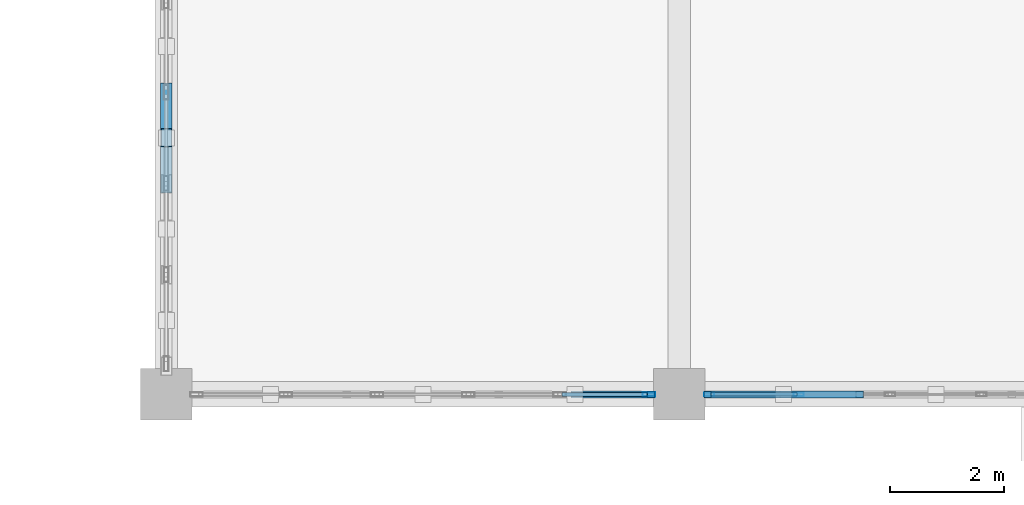
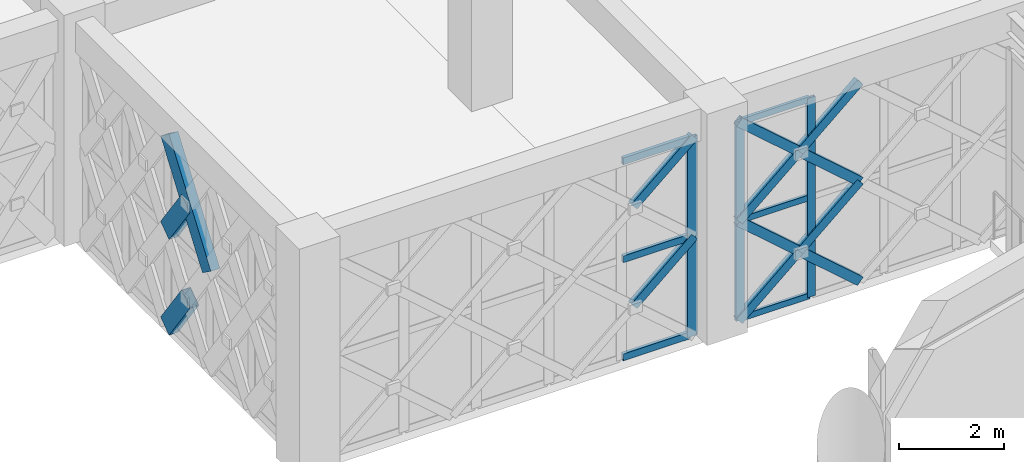
# One storey, part 70 of 155: 20 members, 2 elements without a shape of their own.
"""IFC4 building model written with IfcOpenShell, lengths in metres."""

from ifc_helpers import new_model, si_unit, direction, frame, origin, origin_2d, place, context, subcontext, project, spatial, hollow_rectangle, extrude, material, material_profile, profile_set, type_object, element, aggregate, save


model = new_model("IFC4")

# Units and contexts
model_context = context("Model", 3, precision=1e-05, world=origin(), true_north=direction((0.0, 1.0)))
body_context = subcontext(model_context, "Body", "Model", "MODEL_VIEW")
ifc_project = project(units=[si_unit("LENGTHUNIT", "METRE"), si_unit("AREAUNIT", "SQUARE_METRE"), si_unit("VOLUMEUNIT", "CUBIC_METRE"), si_unit("PLANEANGLEUNIT", "RADIAN"), si_unit("MASSUNIT", "GRAM", prefix="KILO")], contexts=[model_context])

# Site, building, storey
site_placement = place(None, origin())
site = spatial("IfcSite", under=ifc_project, at=site_placement, CompositionType="ELEMENT")
building_placement = place(site_placement, origin())
building = spatial("IfcBuilding", under=site, at=building_placement, Name="Haizhuo Lancet Aquarium", CompositionType="ELEMENT")
storey_placement = place(building_placement, frame((0.0, 0.0, 10.800048828125)))
storey = spatial("IfcBuildingStorey", under=building, at=storey_placement, Name="L02", CompositionType="ELEMENT", Elevation=10.800048828125)

# Curtain wall, members
ifc_material_1 = material(Name="Aluminium 6063-T6", Category="aluminium")
curtain_wall_type = type_object("IfcCurtainWallType", Name="CWO-8010x4650", PredefinedType="NOTDEFINED", material=ifc_material_1)
curtain_wall_1_placement = place(storey_placement, origin())
curtain_wall_1 = element("IfcCurtainWall", 1, at=curtain_wall_1_placement, inside=storey, type_object=curtain_wall_type, Name="L02 curtain wall CW-V5-L02-157", PredefinedType="NOTDEFINED")
ifc_material_profile_1 = material_profile(ifc_material_1, hollow_rectangle(XDim=0.06494140625, YDim=0.179931640625, WallThickness=0.00390625, at=origin_2d()), Name="ALU-M 65x180x4")
ifc_profile_set_1 = profile_set([ifc_material_profile_1], Name="Aluminium 6063-T6")
member_type_1 = type_object("IfcMemberType", Name="CW-MUL-1", PredefinedType="MULLION", material=ifc_profile_set_1)
member_1_placement = place(storey_placement, frame((-6.903076171875, 27.0, 0.0), z_axis=(0.0, 0.0, 1.0), x_axis=(0.0, -1.0, 0.0)))
member_1 = element("IfcMember", 2, at=member_1_placement, type_object=member_type_1, Name="CWO-80x46 mullion 5", PredefinedType="MULLION", context=body_context, shape_type="SweptSolid", body=[
    extrude(hollow_rectangle(XDim=0.06494140625, YDim=0.179931640625, WallThickness=0.00390625, at=origin_2d()), origin(), (0.0, 0.0, 1.0), 4.64990234375),
])
member_2_placement = place(storey_placement, frame((-8.472900390625, 27.0, 0.0), z_axis=(0.0, 0.0, 1.0), x_axis=(0.0, -1.0, 0.0)))
member_2 = element("IfcMember", 3, at=member_2_placement, type_object=member_type_1, Name="CWO-80x46 mullion 6", PredefinedType="MULLION", context=body_context, shape_type="SweptSolid", body=[
    extrude(hollow_rectangle(XDim=0.06494140625, YDim=0.179931640625, WallThickness=0.00390625, at=origin_2d()), origin(), (0.0, 0.0, 1.0), 4.64990234375),
])

# Curtain wall, member
curtain_wall_2_placement = place(storey_placement, origin())
curtain_wall_2 = element("IfcCurtainWall", 4, at=curtain_wall_2_placement, inside=storey, type_object=curtain_wall_type, Name="L02 curtain wall CW-V5-L02-158", PredefinedType="NOTDEFINED")
ifc_material_profile_2 = material_profile(ifc_material_1, hollow_rectangle(XDim=0.074951171875, YDim=0.219970703125, WallThickness=0.0048828125, at=origin_2d()), Name="ALU-M 75x220x5")
ifc_profile_set_2 = profile_set([ifc_material_profile_2], Name="Aluminium 6063-T6")
member_type_2 = type_object("IfcMemberType", Name="CW-MUL-2", PredefinedType="MULLION", material=ifc_profile_set_2)
member_3_placement = place(storey_placement, frame((-9.531982421875, 27.0, 0.0), z_axis=(0.0, 0.0, 1.0), x_axis=(0.0, -1.0, 0.0)))
member_3 = element("IfcMember", 5, at=member_3_placement, type_object=member_type_2, Name="CWO-80x46 mullion 1", PredefinedType="MULLION", context=body_context, shape_type="SweptSolid", body=[
    extrude(hollow_rectangle(XDim=0.074951171875, YDim=0.219970703125, WallThickness=0.0048828125, at=origin_2d()), origin(), (0.0, 0.0, 1.0), 4.64990234375),
])

# Member
ifc_material_profile_3 = material_profile(ifc_material_1, hollow_rectangle(XDim=0.06494140625, YDim=0.139892578125, WallThickness=0.00390625, at=origin_2d()), Name="ALU-T 65x140x4")
ifc_profile_set_3 = profile_set([ifc_material_profile_3], Name="Aluminium 6063-T6")
member_type_3 = type_object("IfcMemberType", Name="CW-TRN-1", PredefinedType="NOTDEFINED", material=ifc_profile_set_3)
member_4_placement = place(storey_placement, frame((-6.93603515625, 27.0, 0.032958984375), z_axis=(-1.0, 0.0, 0.0), x_axis=(0.0, -1.0, 0.0)))
member_4 = element("IfcMember", 6, at=member_4_placement, type_object=member_type_3, Name="CWO-80x46 transom 5.1", ObjectType="TRANSOM", PredefinedType="USERDEFINED", context=body_context, shape_type="SweptSolid", body=[
    extrude(hollow_rectangle(XDim=0.06494140625, YDim=0.139892578125, WallThickness=0.00390625, at=origin_2d()), origin(), (0.0, 0.0, 1.0), 1.50390625),
])

member_5_placement = place(storey_placement, frame((-6.93603515625, 27.0, 2.324951171875), z_axis=(-1.0, 0.0, 0.0), x_axis=(0.0, -1.0, 0.0)))
member_5 = element("IfcMember", 7, at=member_5_placement, type_object=member_type_3, Name="CWO-80x46 transom 5.2", ObjectType="TRANSOM", PredefinedType="USERDEFINED", context=body_context, shape_type="SweptSolid", body=[
    extrude(hollow_rectangle(XDim=0.06494140625, YDim=0.139892578125, WallThickness=0.00390625, at=origin_2d()), origin(), (0.0, 0.0, 1.0), 1.50390625),
])

member_6_placement = place(storey_placement, frame((-6.93603515625, 27.0, 4.616943359375), z_axis=(-1.0, 0.0, 0.0), x_axis=(0.0, -1.0, 0.0)))
member_6 = element("IfcMember", 8, at=member_6_placement, type_object=member_type_3, Name="CWO-80x46 transom 5.3", ObjectType="TRANSOM", PredefinedType="USERDEFINED", context=body_context, shape_type="SweptSolid", body=[
    extrude(hollow_rectangle(XDim=0.06494140625, YDim=0.139892578125, WallThickness=0.00390625, at=origin_2d()), origin(), (0.0, 0.0, 1.0), 1.50390625),
])

aggregate(curtain_wall_1, [member_1, member_2, member_4, member_5, member_6])

ifc_material_profile_4 = material_profile(ifc_material_1, hollow_rectangle(XDim=0.074951171875, YDim=0.159912109375, WallThickness=0.00390625, at=origin_2d()), Name="ALU-T 75x160x4")
ifc_profile_set_4 = profile_set([ifc_material_profile_4], Name="Aluminium 6063-T6")
member_type_4 = type_object("IfcMemberType", Name="CW-TRN-2", PredefinedType="NOTDEFINED", material=ifc_profile_set_4)
member_7_placement = place(storey_placement, frame((-9.570068359375, 27.0, 0.037841796875), z_axis=(-1.0, 0.0, 0.0), x_axis=(0.0, -1.0, 0.0)))
member_7 = element("IfcMember", 9, at=member_7_placement, type_object=member_type_4, Name="CWO-80x46 transom 1.1", ObjectType="TRANSOM", PredefinedType="USERDEFINED", context=body_context, shape_type="SweptSolid", body=[
    extrude(hollow_rectangle(XDim=0.074951171875, YDim=0.159912109375, WallThickness=0.00390625, at=origin_2d()), origin(), (0.0, 0.0, 1.0), 1.489013671875),
])

member_8_placement = place(storey_placement, frame((-9.570068359375, 27.0, 2.324951171875), z_axis=(-1.0, 0.0, 0.0), x_axis=(0.0, -1.0, 0.0)))
member_8 = element("IfcMember", 10, at=member_8_placement, type_object=member_type_4, Name="CWO-80x46 transom 1.2", ObjectType="TRANSOM", PredefinedType="USERDEFINED", context=body_context, shape_type="SweptSolid", body=[
    extrude(hollow_rectangle(XDim=0.074951171875, YDim=0.159912109375, WallThickness=0.00390625, at=origin_2d()), origin(), (0.0, 0.0, 1.0), 1.489013671875),
])

member_9_placement = place(storey_placement, frame((-9.570068359375, 27.0, 4.612060546875), z_axis=(-1.0, 0.0, 0.0), x_axis=(0.0, -1.0, 0.0)))
member_9 = element("IfcMember", 11, at=member_9_placement, type_object=member_type_4, Name="CWO-80x46 transom 1.3", ObjectType="TRANSOM", PredefinedType="USERDEFINED", context=body_context, shape_type="SweptSolid", body=[
    extrude(hollow_rectangle(XDim=0.074951171875, YDim=0.159912109375, WallThickness=0.00390625, at=origin_2d()), origin(), (0.0, 0.0, 1.0), 1.489013671875),
])

aggregate(curtain_wall_2, [member_3, member_7, member_8, member_9])

# Members
ifc_material_2 = material(Name="Steel S355", Category="steel")
ifc_material_profile_5 = material_profile(ifc_material_2, hollow_rectangle(XDim=0.1201171875, YDim=0.199951171875, WallThickness=0.008056640625, at=origin_2d()), Name="RHS 120x200x8")
ifc_profile_set_5 = profile_set([ifc_material_profile_5], Name="Steel S355")
member_type_5 = type_object("IfcMemberType", Name="MEM-LB-RHS120x200", PredefinedType="BRACE", material=ifc_profile_set_5)
member_10_placement = place(storey_placement, frame((-5.8349609375, 27.0, 0.0), z_axis=(-0.754146594137, 0.0, 0.656706109726), x_axis=(0.0, -1.0, 0.0)))
element("IfcMember", 12, at=member_10_placement, inside=storey, type_object=member_type_5, Name="Gothic lancet continuous diagonal brace CW-V5-L02-157 5A", PredefinedType="BRACE", context=body_context, shape_type="SweptSolid", body=[
    extrude(hollow_rectangle(XDim=0.1201171875, YDim=0.199951171875, WallThickness=0.008056640625, at=origin_2d()), origin(), (0.0, 0.0, 1.0), 3.540283203125),
])
member_11_placement = place(storey_placement, frame((-8.5048828125, 27.0, 0.0), z_axis=(0.754044141002, 0.0, 0.656823746085), x_axis=(0.0, 1.0, 0.0)))
element("IfcMember", 13, at=member_11_placement, inside=storey, type_object=member_type_5, Name="Gothic lancet split diagonal brace CW-V5-L02-157 5B1", PredefinedType="BRACE", context=body_context, shape_type="SweptSolid", body=[
    extrude(hollow_rectangle(XDim=0.1201171875, YDim=0.199951171875, WallThickness=0.008056640625, at=origin_2d()), origin(), (0.0, 0.0, 1.0), 1.7705078125),
])
member_12_placement = place(storey_placement, frame((-7.169921875, 27.0, 1.162841796875), z_axis=(0.754249056755, 0.0, 0.656588425412), x_axis=(0.0, 1.0, 0.0)))
element("IfcMember", 14, at=member_12_placement, inside=storey, type_object=member_type_5, Name="Gothic lancet split diagonal brace CW-V5-L02-157 5B2", PredefinedType="BRACE", context=body_context, shape_type="SweptSolid", body=[
    extrude(hollow_rectangle(XDim=0.1201171875, YDim=0.199951171875, WallThickness=0.008056640625, at=origin_2d()), origin(), (0.0, 0.0, 1.0), 1.77001953125),
])
member_13_placement = place(storey_placement, frame((-5.8349609375, 27.0, 2.324951171875), z_axis=(-0.754146594137, 0.0, 0.656706109726), x_axis=(0.0, -1.0, 0.0)))
element("IfcMember", 15, at=member_13_placement, inside=storey, type_object=member_type_5, Name="Gothic lancet continuous diagonal brace CW-V5-L02-157 6A", PredefinedType="BRACE", context=body_context, shape_type="SweptSolid", body=[
    extrude(hollow_rectangle(XDim=0.1201171875, YDim=0.199951171875, WallThickness=0.008056640625, at=origin_2d()), origin(), (0.0, 0.0, 1.0), 3.540283203125),
])
member_14_placement = place(storey_placement, frame((-8.5048828125, 27.0, 2.324951171875), z_axis=(0.754249056755, 0.0, 0.656588425412), x_axis=(0.0, 1.0, 0.0)))
element("IfcMember", 16, at=member_14_placement, inside=storey, type_object=member_type_5, Name="Gothic lancet split diagonal brace CW-V5-L02-157 6B1", PredefinedType="BRACE", context=body_context, shape_type="SweptSolid", body=[
    extrude(hollow_rectangle(XDim=0.1201171875, YDim=0.199951171875, WallThickness=0.008056640625, at=origin_2d()), origin(), (0.0, 0.0, 1.0), 1.77001953125),
])
member_15_placement = place(storey_placement, frame((-7.169921875, 27.0, 3.487060546875), z_axis=(0.754044141002, 0.0, 0.656823746085), x_axis=(0.0, 1.0, 0.0)))
element("IfcMember", 17, at=member_15_placement, inside=storey, type_object=member_type_5, Name="Gothic lancet split diagonal brace CW-V5-L02-157 6B2", PredefinedType="BRACE", context=body_context, shape_type="SweptSolid", body=[
    extrude(hollow_rectangle(XDim=0.1201171875, YDim=0.199951171875, WallThickness=0.008056640625, at=origin_2d()), origin(), (0.0, 0.0, 1.0), 1.7705078125),
])
member_16_placement = place(storey_placement, frame((-10.830078125, 27.0, 1.162841796875), z_axis=(0.754249056755, 0.0, 0.656588425412), x_axis=(0.0, 1.0, 0.0)))
element("IfcMember", 18, at=member_16_placement, inside=storey, type_object=member_type_5, Name="Gothic lancet split diagonal brace CW-V5-L02-158 1B2", PredefinedType="BRACE", context=body_context, shape_type="SweptSolid", body=[
    extrude(hollow_rectangle(XDim=0.1201171875, YDim=0.199951171875, WallThickness=0.008056640625, at=origin_2d()), origin(), (0.0, 0.0, 1.0), 1.77001953125),
])
member_17_placement = place(storey_placement, frame((-10.830078125, 27.0, 3.487060546875), z_axis=(0.754044141002, 0.0, 0.656823746085), x_axis=(0.0, 1.0, 0.0)))
element("IfcMember", 19, at=member_17_placement, inside=storey, type_object=member_type_5, Name="Gothic lancet split diagonal brace CW-V5-L02-158 2B2", PredefinedType="BRACE", context=body_context, shape_type="SweptSolid", body=[
    extrude(hollow_rectangle(XDim=0.1201171875, YDim=0.199951171875, WallThickness=0.008056640625, at=origin_2d()), origin(), (0.0, 0.0, 1.0), 1.7705078125),
])
ifc_material_profile_6 = material_profile(ifc_material_2, hollow_rectangle(XDim=0.199951171875, YDim=0.39990234375, WallThickness=0.011962890625, at=origin_2d()), Name="RHS 200x400x12")
ifc_profile_set_6 = profile_set([ifc_material_profile_6], Name="Steel S355")
member_type_6 = type_object("IfcMemberType", Name="MEM-LB-RHS200x400", PredefinedType="BRACE", material=ifc_profile_set_6)
member_18_placement = place(storey_placement, frame((-18.0, 32.301025390625, 0.0), z_axis=(0.0, -0.583456487426, 0.81214440051), x_axis=(1.0, 0.0, 0.0)))
element("IfcMember", 20, at=member_18_placement, inside=storey, type_object=member_type_6, Name="Gothic lancet split diagonal brace CW-V5-L02-159 5B1", PredefinedType="BRACE", context=body_context, shape_type="SweptSolid", body=[
    extrude(hollow_rectangle(XDim=0.199951171875, YDim=0.39990234375, WallThickness=0.011962890625, at=origin_2d()), origin(), (0.0, 0.0, 1.0), 1.372802734375),
])
member_19_placement = place(storey_placement, frame((-18.0, 30.698974609375, 2.22998046875), z_axis=(0.0, 0.583456487426, 0.81214440051), x_axis=(-1.0, 0.0, 0.0)))
element("IfcMember", 21, at=member_19_placement, inside=storey, type_object=member_type_6, Name="Gothic lancet continuous diagonal brace CW-V5-L02-159 6A", PredefinedType="BRACE", context=body_context, shape_type="SweptSolid", body=[
    extrude(hollow_rectangle(XDim=0.199951171875, YDim=0.39990234375, WallThickness=0.011962890625, at=origin_2d()), origin(), (0.0, 0.0, 1.0), 2.745849609375),
])
member_20_placement = place(storey_placement, frame((-18.0, 32.301025390625, 2.22998046875), z_axis=(0.0, -0.583456487426, 0.81214440051), x_axis=(1.0, 0.0, 0.0)))
element("IfcMember", 22, at=member_20_placement, inside=storey, type_object=member_type_6, Name="Gothic lancet split diagonal brace CW-V5-L02-159 6B1", PredefinedType="BRACE", context=body_context, shape_type="SweptSolid", body=[
    extrude(hollow_rectangle(XDim=0.199951171875, YDim=0.39990234375, WallThickness=0.011962890625, at=origin_2d()), origin(), (0.0, 0.0, 1.0), 1.372802734375),
])

save(model, "model.ifc")
